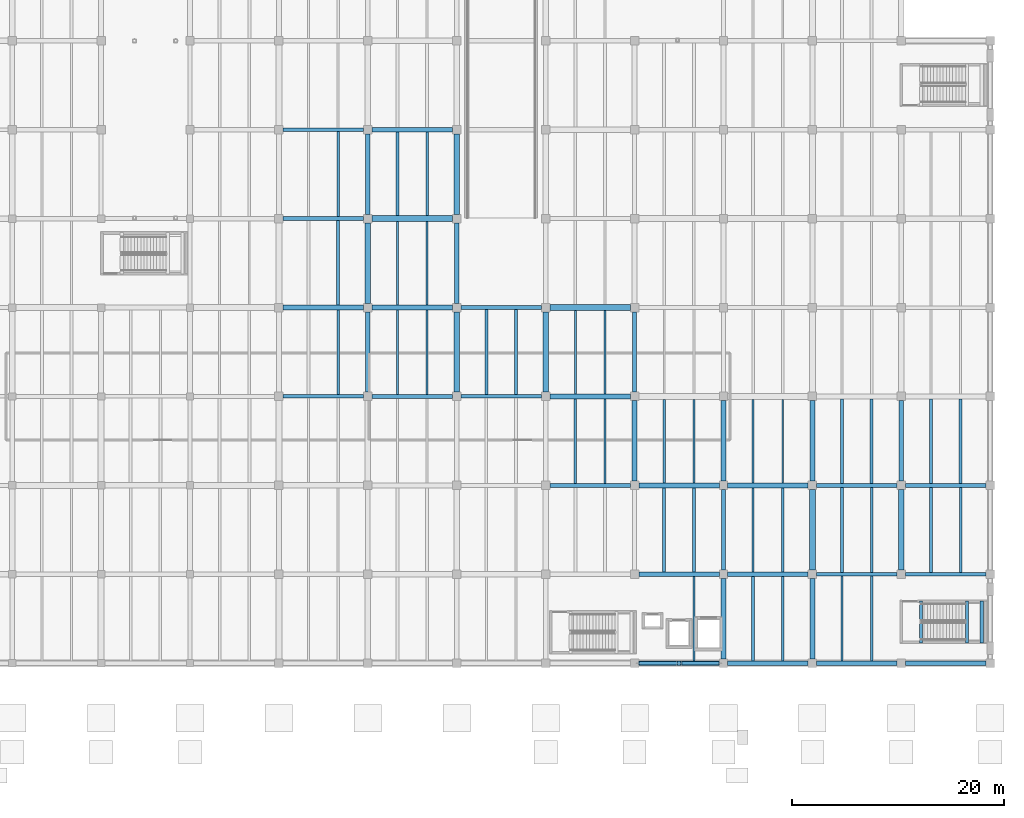
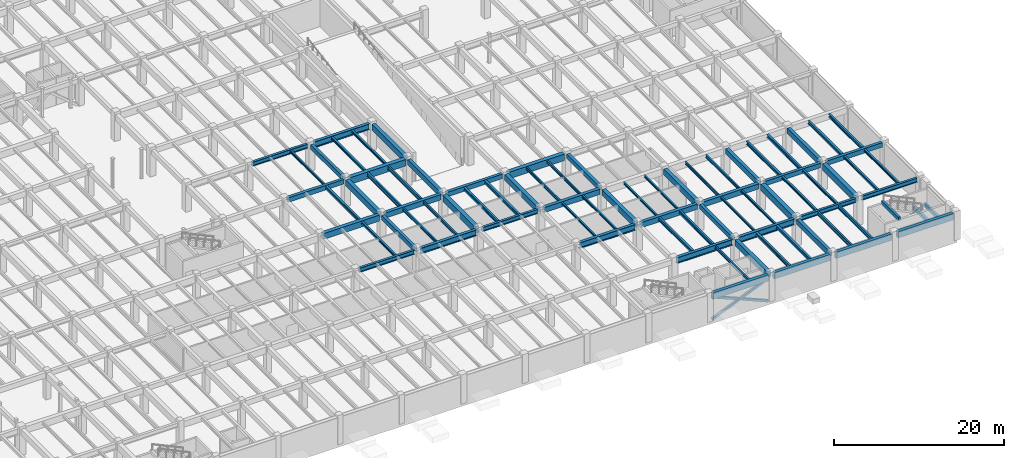
# One storey, part 23 of 63: 81 beams, 3 members.
"""IFC4 building model written with IfcOpenShell, lengths in metres."""

from ifc_helpers import new_model, si_unit, direction, frame, origin, origin_2d, place, context, subcontext, project, spatial, rectangle, hollow_rectangle, i_section, extrude, material, material_profile, profile_set, type_object, element, save


model = new_model("IFC4")

# Units and contexts
model_context = context("Model", 3, precision=1e-05, world=origin(), true_north=direction((0.0, 1.0)))
body_context = subcontext(model_context, "Body", "Model", "MODEL_VIEW")
ifc_project = project(units=[si_unit("LENGTHUNIT", "METRE"), si_unit("AREAUNIT", "SQUARE_METRE"), si_unit("VOLUMEUNIT", "CUBIC_METRE"), si_unit("PLANEANGLEUNIT", "RADIAN"), si_unit("MASSUNIT", "GRAM", prefix="KILO")], contexts=[model_context])

# Site, building, storey
site_placement = place(None, origin())
site = spatial("IfcSite", under=ifc_project, at=site_placement, CompositionType="ELEMENT")
building_placement = place(site_placement, origin())
building = spatial("IfcBuilding", under=site, at=building_placement, Name="Cumbredor Promenade Congress Hotel", CompositionType="ELEMENT")
storey_placement = place(building_placement, frame((0.0, 0.0, -4.199951171875)))
storey = spatial("IfcBuildingStorey", under=building, at=storey_placement, Name="B01", CompositionType="ELEMENT", Elevation=-4.199951171875)

# Beams
ifc_material_1 = material(Name="Concrete C40/50", Category="concrete")
ifc_material_profile_1 = material_profile(ifc_material_1, rectangle(XDim=0.39990234375, YDim=0.64990234375, at=origin_2d()), Name="RC BEAM 400x650")
ifc_profile_set_1 = profile_set([ifc_material_profile_1], Name="Concrete C40/50")
beam_type_1 = type_object("IfcBeamType", Name="BM-RC-400x650", PredefinedType="BEAM", material=ifc_profile_set_1)
for number, where, z_axis, x_axis, name in (
    (1, (118.0, 50.39990234375, 3.52490234375), (1.0, 0.0, 0.0), (0.0, 1.0, 0.0), "L00 X-Grid Beam 339"),
    (2, (126.0, 34.0, 3.52490234375), (0.0, 1.0, 0.0), (-1.0, 0.0, 0.0), "L00 Y-Grid Beam 363"),
):
    element("IfcBeam", number, at=place(storey_placement, frame(where, z_axis=z_axis, x_axis=x_axis)), inside=storey, type_object=beam_type_1, Name=name, PredefinedType="BEAM", context=body_context, shape_type="SweptSolid", body=[
        extrude(rectangle(XDim=0.39990234375, YDim=0.64990234375, at=origin_2d()), origin(), (0.0, 0.0, 1.0), 7.60009765625),
    ])
for number, where, z_axis, x_axis, name in (
    (3, (126.0, 50.800048828125, 3.52490234375), (0.0, 1.0, 0.0), (-1.0, 0.0, 0.0), "L00 Y-Grid Beam 367"),
    (4, (134.800048828125, 42.0, 3.52490234375), (1.0, 0.0, 0.0), (0.0, 1.0, 0.0), "L00 X-Grid Beam 391"),
):
    element("IfcBeam", number, at=place(storey_placement, frame(where, z_axis=z_axis, x_axis=x_axis)), inside=storey, type_object=beam_type_1, Name=name, PredefinedType="BEAM", context=body_context, shape_type="SweptSolid", body=[
        extrude(rectangle(XDim=0.39990234375, YDim=0.64990234375, at=origin_2d()), origin(), (0.0, 0.0, 1.0), 7.599853515625),
    ])
for number, where, z_axis, x_axis, name in (
    (5, (151.199951171875, 34.0, 3.52490234375), (0.0, 1.0, 0.0), (-1.0, 0.0, 0.0), "L00 Y-Grid Beam 439"),
    (6, (159.60009765625, 17.199951171875, 3.52490234375), (0.0, 1.0, 0.0), (-1.0, 0.0, 0.0), "L00 Y-Grid Beam 459"),
    (7, (168.39990234375, 25.199951171875, 3.52490234375), (1.0, 0.0, 0.0), (0.0, 1.0, 0.0), "L00 X-Grid Beam 487"),
):
    element("IfcBeam", number, at=place(storey_placement, frame(where, z_axis=z_axis, x_axis=x_axis)), inside=storey, type_object=beam_type_1, Name=name, PredefinedType="BEAM", context=body_context, shape_type="SweptSolid", body=[
        extrude(rectangle(XDim=0.39990234375, YDim=0.64990234375, at=origin_2d()), origin(), (0.0, 0.0, 1.0), 7.60009765625),
    ])
beam_1_placement = place(storey_placement, frame((176.800048828125, 25.199951171875, 3.52490234375), z_axis=(1.0, 0.0, 0.0), x_axis=(0.0, 1.0, 0.0)))
element("IfcBeam", 8, at=beam_1_placement, inside=storey, type_object=beam_type_1, Name="L00 X-Grid Beam 511", PredefinedType="BEAM", context=body_context, shape_type="SweptSolid", body=[
    extrude(rectangle(XDim=0.39990234375, YDim=0.64990234375, at=origin_2d()), origin(), (0.0, 0.0, 1.0), 7.599853515625),
])
ifc_material_profile_2 = material_profile(ifc_material_1, rectangle(XDim=0.449951171875, YDim=0.75, at=origin_2d()), Name="RC BEAM 450x750")
ifc_profile_set_2 = profile_set([ifc_material_profile_2], Name="Concrete C40/50")
beam_type_2 = type_object("IfcBeamType", Name="BM-RC-450x750", PredefinedType="BEAM", material=ifc_profile_set_2)
for number, where, z_axis, x_axis, name in (
    (9, (126.39990234375, 42.0, 3.474853515625), (1.0, 0.0, 0.0), (0.0, 1.0, 0.0), "L00 X-Grid Beam 364"),
    (10, (134.39990234375, 42.39990234375, 3.474853515625), (0.0, 1.0, 0.0), (-1.0, 0.0, 0.0), "L00 Y-Grid Beam 392"),
    (11, (143.199951171875, 33.60009765625, 3.474853515625), (1.0, 0.0, 0.0), (0.0, 1.0, 0.0), "L00 X-Grid Beam 412"),
):
    element("IfcBeam", number, at=place(storey_placement, frame(where, z_axis=z_axis, x_axis=x_axis)), inside=storey, type_object=beam_type_2, Name=name, PredefinedType="BEAM", context=body_context, shape_type="SweptSolid", body=[
        extrude(rectangle(XDim=0.449951171875, YDim=0.75, at=origin_2d()), origin(), (0.0, 0.0, 1.0), 7.60009765625),
    ])
beam_2_placement = place(storey_placement, frame((151.60009765625, 25.199951171875, 3.474853515625), z_axis=(1.0, 0.0, 0.0), x_axis=(0.0, 1.0, 0.0)))
element("IfcBeam", 12, at=beam_2_placement, inside=storey, type_object=beam_type_2, Name="L00 X-Grid Beam 436", PredefinedType="BEAM", context=body_context, shape_type="SweptSolid", body=[
    extrude(rectangle(XDim=0.449951171875, YDim=0.75, at=origin_2d()), origin(), (0.0, 0.0, 1.0), 7.599853515625),
])
beam_3_placement = place(storey_placement, frame((160.0, 25.199951171875, 3.474853515625), z_axis=(1.0, 0.0, 0.0), x_axis=(0.0, 1.0, 0.0)))
element("IfcBeam", 13, at=beam_3_placement, inside=storey, type_object=beam_type_2, Name="L00 X-Grid Beam 460", PredefinedType="BEAM", context=body_context, shape_type="SweptSolid", body=[
    extrude(rectangle(XDim=0.449951171875, YDim=0.75, at=origin_2d()), origin(), (0.0, 0.0, 1.0), 7.60009765625),
])
for number, where, z_axis, x_axis, name in (
    (14, (168.0, 8.800048828125, 3.474853515625), (0.0, 1.0, 0.0), (-1.0, 0.0, 0.0), "L00 Y-Grid Beam 484"),
    (15, (168.0, 25.60009765625, 3.474853515625), (0.0, 1.0, 0.0), (-1.0, 0.0, 0.0), "L00 Y-Grid Beam 488"),
    (16, (176.39990234375, 25.60009765625, 3.474853515625), (0.0, 1.0, 0.0), (-1.0, 0.0, 0.0), "L00 Y-Grid Beam 512"),
):
    element("IfcBeam", number, at=place(storey_placement, frame(where, z_axis=z_axis, x_axis=x_axis)), inside=storey, type_object=beam_type_2, Name=name, PredefinedType="BEAM", context=body_context, shape_type="SweptSolid", body=[
        extrude(rectangle(XDim=0.449951171875, YDim=0.75, at=origin_2d()), origin(), (0.0, 0.0, 1.0), 7.599853515625),
    ])
ifc_material_profile_3 = material_profile(ifc_material_1, rectangle(XDim=0.5, YDim=0.85009765625, at=origin_2d()), Name="RC BEAM 500x850")
ifc_profile_set_3 = profile_set([ifc_material_profile_3], Name="Concrete C40/50")
beam_type_3 = type_object("IfcBeamType", Name="BM-RC-500x850", PredefinedType="BEAM", material=ifc_profile_set_3)
for number, where, z_axis, x_axis, name in (
    (17, (118.0, 42.0, 3.425048828125), (1.0, 0.0, 0.0), (0.0, 1.0, 0.0), "L00 X-Grid Beam 337"),
    (18, (126.0, 42.39990234375, 3.425048828125), (0.0, 1.0, 0.0), (-1.0, 0.0, 0.0), "L00 Y-Grid Beam 365"),
):
    element("IfcBeam", number, at=place(storey_placement, frame(where, z_axis=z_axis, x_axis=x_axis)), inside=storey, type_object=beam_type_3, Name=name, PredefinedType="BEAM", context=body_context, shape_type="SweptSolid", body=[
        extrude(rectangle(XDim=0.5, YDim=0.85009765625, at=origin_2d()), origin(), (0.0, 0.0, 1.0), 7.60009765625),
    ])
beam_4_placement = place(storey_placement, frame((134.39990234375, 50.800048828125, 3.425048828125), z_axis=(0.0, 1.0, 0.0), x_axis=(-1.0, 0.0, 0.0)))
element("IfcBeam", 19, at=beam_4_placement, inside=storey, type_object=beam_type_3, Name="L00 Y-Grid Beam 393", PredefinedType="BEAM", context=body_context, shape_type="SweptSolid", body=[
    extrude(rectangle(XDim=0.5, YDim=0.85009765625, at=origin_2d()), origin(), (0.0, 0.0, 1.0), 7.599853515625),
])
beam_5_placement = place(storey_placement, frame((142.800048828125, 34.0, 3.425048828125), z_axis=(0.0, 1.0, 0.0), x_axis=(-1.0, 0.0, 0.0)))
element("IfcBeam", 20, at=beam_5_placement, inside=storey, type_object=beam_type_3, Name="L00 Y-Grid Beam 413", PredefinedType="BEAM", context=body_context, shape_type="SweptSolid", body=[
    extrude(rectangle(XDim=0.5, YDim=0.85009765625, at=origin_2d()), origin(), (0.0, 0.0, 1.0), 7.60009765625),
])
for number, where, z_axis, x_axis, name in (
    (21, (151.199951171875, 25.60009765625, 3.425048828125), (0.0, 1.0, 0.0), (-1.0, 0.0, 0.0), "L00 Y-Grid Beam 437"),
    (22, (159.60009765625, 8.800048828125, 3.425048828125), (0.0, 1.0, 0.0), (-1.0, 0.0, 0.0), "L00 Y-Grid Beam 457"),
    (23, (159.60009765625, 25.60009765625, 3.425048828125), (0.0, 1.0, 0.0), (-1.0, 0.0, 0.0), "L00 Y-Grid Beam 461"),
):
    element("IfcBeam", number, at=place(storey_placement, frame(where, z_axis=z_axis, x_axis=x_axis)), inside=storey, type_object=beam_type_3, Name=name, PredefinedType="BEAM", context=body_context, shape_type="SweptSolid", body=[
        extrude(rectangle(XDim=0.5, YDim=0.85009765625, at=origin_2d()), origin(), (0.0, 0.0, 1.0), 7.599853515625),
    ])
ifc_material_profile_4 = material_profile(ifc_material_1, rectangle(XDim=0.550048828125, YDim=0.949951171875, at=origin_2d()), Name="RC BEAM 550x950")
ifc_profile_set_4 = profile_set([ifc_material_profile_4], Name="Concrete C40/50")
beam_type_4 = type_object("IfcBeamType", Name="BM-RC-550x950", PredefinedType="BEAM", material=ifc_profile_set_4)
for number, where, z_axis, x_axis, name in (
    (24, (126.39990234375, 50.39990234375, 3.375), (1.0, 0.0, 0.0), (0.0, 1.0, 0.0), "L00 X-Grid Beam 366"),
    (25, (134.39990234375, 34.0, 3.375), (0.0, 1.0, 0.0), (-1.0, 0.0, 0.0), "L00 Y-Grid Beam 390"),
    (26, (143.199951171875, 42.0, 3.375), (1.0, 0.0, 0.0), (0.0, 1.0, 0.0), "L00 X-Grid Beam 414"),
    (27, (168.0, 17.199951171875, 3.375), (0.0, 1.0, 0.0), (-1.0, 0.0, 0.0), "L00 Y-Grid Beam 486"),
    (28, (176.39990234375, 17.199951171875, 3.375), (0.0, 1.0, 0.0), (-1.0, 0.0, 0.0), "L00 Y-Grid Beam 510"),
):
    element("IfcBeam", number, at=place(storey_placement, frame(where, z_axis=z_axis, x_axis=x_axis)), inside=storey, type_object=beam_type_4, Name=name, PredefinedType="BEAM", context=body_context, shape_type="SweptSolid", body=[
        extrude(rectangle(XDim=0.550048828125, YDim=0.949951171875, at=origin_2d()), origin(), (0.0, 0.0, 1.0), 7.60009765625),
    ])
ifc_material_2 = material(Name="Steel ASTM A992 Grade 50", Category="steel")
ifc_material_profile_5 = material_profile(ifc_material_2, i_section(OverallWidth=0.323974609375, OverallDepth=0.611083984375, WebThickness=0.0126953125, FlangeThickness=0.01904296875, at=origin_2d()), Name="W24X104")
ifc_profile_set_5 = profile_set([ifc_material_profile_5], Name="Steel ASTM A992 Grade 50")
beam_type_5 = type_object("IfcBeamType", Name="BM-W24X104", PredefinedType="BEAM", material=ifc_profile_set_5)
for number, where, z_axis, x_axis, name in (
    (29, (118.0, 33.60009765625, 3.54443359375), (1.0, 0.0, 0.0), (0.0, 1.0, 0.0), "L00 X-Grid Beam 335"),
    (30, (118.0, 58.800048828125, 3.54443359375), (1.0, 0.0, 0.0), (0.0, 1.0, 0.0), "L00 X-Grid Beam 341"),
):
    element("IfcBeam", number, at=place(storey_placement, frame(where, z_axis=z_axis, x_axis=x_axis)), inside=storey, type_object=beam_type_5, Name=name, PredefinedType="BEAM", context=body_context, shape_type="SweptSolid", body=[
        extrude(i_section(OverallWidth=0.323974609375, OverallDepth=0.611083984375, WebThickness=0.0126953125, FlangeThickness=0.01904296875, at=origin_2d()), origin(), (0.0, 0.0, 1.0), 7.60009765625),
    ])
beam_6_placement = place(storey_placement, frame((134.800048828125, 33.60009765625, 3.54443359375), z_axis=(1.0, 0.0, 0.0), x_axis=(0.0, 1.0, 0.0)))
element("IfcBeam", 31, at=beam_6_placement, inside=storey, type_object=beam_type_5, Name="L00 X-Grid Beam 389", PredefinedType="BEAM", context=body_context, shape_type="SweptSolid", body=[
    extrude(i_section(OverallWidth=0.323974609375, OverallDepth=0.611083984375, WebThickness=0.0126953125, FlangeThickness=0.01904296875, at=origin_2d()), origin(), (0.0, 0.0, 1.0), 7.599853515625),
])
beam_7_placement = place(storey_placement, frame((168.39990234375, 16.800048828125, 3.54443359375), z_axis=(1.0, 0.0, 0.0), x_axis=(0.0, 1.0, 0.0)))
element("IfcBeam", 32, at=beam_7_placement, inside=storey, type_object=beam_type_5, Name="L00 X-Grid Beam 485", PredefinedType="BEAM", context=body_context, shape_type="SweptSolid", body=[
    extrude(i_section(OverallWidth=0.323974609375, OverallDepth=0.611083984375, WebThickness=0.0126953125, FlangeThickness=0.01904296875, at=origin_2d()), origin(), (0.0, 0.0, 1.0), 7.60009765625),
])
beam_8_placement = place(storey_placement, frame((176.800048828125, 16.800048828125, 3.54443359375), z_axis=(1.0, 0.0, 0.0), x_axis=(0.0, 1.0, 0.0)))
element("IfcBeam", 33, at=beam_8_placement, inside=storey, type_object=beam_type_5, Name="L00 X-Grid Beam 509", PredefinedType="BEAM", context=body_context, shape_type="SweptSolid", body=[
    extrude(i_section(OverallWidth=0.323974609375, OverallDepth=0.611083984375, WebThickness=0.0126953125, FlangeThickness=0.01904296875, at=origin_2d()), origin(), (0.0, 0.0, 1.0), 7.599853515625),
])
ifc_material_profile_6 = material_profile(ifc_material_2, i_section(OverallWidth=0.39990234375, OverallDepth=0.85498046875, WebThickness=0.018310546875, FlangeThickness=0.029296875, at=origin_2d()), Name="W33X201")
ifc_profile_set_6 = profile_set([ifc_material_profile_6], Name="Steel ASTM A992 Grade 50")
beam_type_6 = type_object("IfcBeamType", Name="BM-W33X201", PredefinedType="BEAM", material=ifc_profile_set_6)
for number, where, z_axis, x_axis, name in (
    (34, (126.39990234375, 33.60009765625, 3.42236328125), (1.0, 0.0, 0.0), (0.0, 1.0, 0.0), "L00 X-Grid Beam 362"),
    (35, (126.39990234375, 58.800048828125, 3.42236328125), (1.0, 0.0, 0.0), (0.0, 1.0, 0.0), "L00 X-Grid Beam 368"),
    (36, (143.199951171875, 25.199951171875, 3.42236328125), (1.0, 0.0, 0.0), (0.0, 1.0, 0.0), "L00 X-Grid Beam 410"),
):
    element("IfcBeam", number, at=place(storey_placement, frame(where, z_axis=z_axis, x_axis=x_axis)), inside=storey, type_object=beam_type_6, Name=name, PredefinedType="BEAM", context=body_context, shape_type="SweptSolid", body=[
        extrude(i_section(OverallWidth=0.39990234375, OverallDepth=0.85498046875, WebThickness=0.018310546875, FlangeThickness=0.029296875, at=origin_2d()), origin(), (0.0, 0.0, 1.0), 7.60009765625),
    ])
beam_9_placement = place(storey_placement, frame((151.60009765625, 16.800048828125, 3.42236328125), z_axis=(1.0, 0.0, 0.0), x_axis=(0.0, 1.0, 0.0)))
element("IfcBeam", 37, at=beam_9_placement, inside=storey, type_object=beam_type_6, Name="L00 X-Grid Beam 434", PredefinedType="BEAM", context=body_context, shape_type="SweptSolid", body=[
    extrude(i_section(OverallWidth=0.39990234375, OverallDepth=0.85498046875, WebThickness=0.018310546875, FlangeThickness=0.029296875, at=origin_2d()), origin(), (0.0, 0.0, 1.0), 7.599853515625),
])
beam_10_placement = place(storey_placement, frame((160.0, 16.800048828125, 3.42236328125), z_axis=(1.0, 0.0, 0.0), x_axis=(0.0, 1.0, 0.0)))
element("IfcBeam", 38, at=beam_10_placement, inside=storey, type_object=beam_type_6, Name="L00 X-Grid Beam 458", PredefinedType="BEAM", context=body_context, shape_type="SweptSolid", body=[
    extrude(i_section(OverallWidth=0.39990234375, OverallDepth=0.85498046875, WebThickness=0.018310546875, FlangeThickness=0.029296875, at=origin_2d()), origin(), (0.0, 0.0, 1.0), 7.60009765625),
])
ifc_material_profile_7 = material_profile(ifc_material_2, i_section(OverallWidth=0.202880859375, OverallDepth=0.302978515625, WebThickness=0.007568359375, FlangeThickness=0.01318359375, at=origin_2d()), Name="W12X40")
ifc_profile_set_7 = profile_set([ifc_material_profile_7], Name="Steel ASTM A992 Grade 50")
beam_type_7 = type_object("IfcBeamType", Name="JST-W12X40", PredefinedType="JOIST", material=ifc_profile_set_7)
beam_11_placement = place(storey_placement, frame((123.199951171875, 50.60009765625, 3.698486328125), z_axis=(0.0, 1.0, 0.0), x_axis=(-1.0, 0.0, 0.0)))
element("IfcBeam", 39, at=beam_11_placement, inside=storey, type_object=beam_type_7, Name="L00 Secondary Floor Joist 0290", PredefinedType="JOIST", context=body_context, shape_type="SweptSolid", body=[
    extrude(i_section(OverallWidth=0.202880859375, OverallDepth=0.302978515625, WebThickness=0.007568359375, FlangeThickness=0.01318359375, at=origin_2d()), origin(), (0.0, 0.0, 1.0), 8.037841796875),
])
for number, where, z_axis, x_axis, name in (
    (40, (145.60009765625, 25.39990234375, 3.698486328125), (0.0, 1.0, 0.0), (-1.0, 0.0, 0.0), "L00 Secondary Floor Joist 0349"),
    (41, (148.39990234375, 25.39990234375, 3.698486328125), (0.0, 1.0, 0.0), (-1.0, 0.0, 0.0), "L00 Secondary Floor Joist 0350"),
):
    element("IfcBeam", number, at=place(storey_placement, frame(where, z_axis=z_axis, x_axis=x_axis)), inside=storey, type_object=beam_type_7, Name=name, PredefinedType="JOIST", context=body_context, shape_type="SweptSolid", body=[
        extrude(i_section(OverallWidth=0.202880859375, OverallDepth=0.302978515625, WebThickness=0.007568359375, FlangeThickness=0.01318359375, at=origin_2d()), origin(), (0.0, 0.0, 1.0), 7.97509765625),
    ])
for number, where, z_axis, x_axis, name in (
    (42, (154.0, 25.425048828125, 3.698486328125), (0.0, 1.0, 0.0), (-1.0, 0.0, 0.0), "L00 Secondary Floor Joist 0374"),
    (43, (156.800048828125, 25.425048828125, 3.698486328125), (0.0, 1.0, 0.0), (-1.0, 0.0, 0.0), "L00 Secondary Floor Joist 0375"),
):
    element("IfcBeam", number, at=place(storey_placement, frame(where, z_axis=z_axis, x_axis=x_axis)), inside=storey, type_object=beam_type_7, Name=name, PredefinedType="JOIST", context=body_context, shape_type="SweptSolid", body=[
        extrude(i_section(OverallWidth=0.202880859375, OverallDepth=0.302978515625, WebThickness=0.007568359375, FlangeThickness=0.01318359375, at=origin_2d()), origin(), (0.0, 0.0, 1.0), 7.89990234375),
    ])
for number, where, z_axis, x_axis, name in (
    (44, (162.39990234375, 17.0, 3.698486328125), (0.0, 1.0, 0.0), (-1.0, 0.0, 0.0), "L00 Secondary Floor Joist 0394"),
    (45, (165.199951171875, 17.0, 3.698486328125), (0.0, 1.0, 0.0), (-1.0, 0.0, 0.0), "L00 Secondary Floor Joist 0395"),
):
    element("IfcBeam", number, at=place(storey_placement, frame(where, z_axis=z_axis, x_axis=x_axis)), inside=storey, type_object=beam_type_7, Name=name, PredefinedType="JOIST", context=body_context, shape_type="SweptSolid", body=[
        extrude(i_section(OverallWidth=0.202880859375, OverallDepth=0.302978515625, WebThickness=0.007568359375, FlangeThickness=0.01318359375, at=origin_2d()), origin(), (0.0, 0.0, 1.0), 7.97509765625),
    ])
ifc_material_profile_8 = material_profile(ifc_material_2, i_section(OverallWidth=0.2548828125, OverallDepth=0.35693359375, WebThickness=0.010498046875, FlangeThickness=0.018310546875, at=origin_2d()), Name="W14X68")
ifc_profile_set_8 = profile_set([ifc_material_profile_8], Name="Steel ASTM A992 Grade 50")
beam_type_8 = type_object("IfcBeamType", Name="JST-W14X68", PredefinedType="JOIST", material=ifc_profile_set_8)
beam_12_placement = place(storey_placement, frame((123.199951171875, 33.761962890625, 3.67138671875), z_axis=(0.0, 1.0, 0.0), x_axis=(-1.0, 0.0, 0.0)))
element("IfcBeam", 46, at=beam_12_placement, inside=storey, type_object=beam_type_8, Name="L00 Secondary Floor Joist 0286", PredefinedType="JOIST", context=body_context, shape_type="SweptSolid", body=[
    extrude(i_section(OverallWidth=0.2548828125, OverallDepth=0.35693359375, WebThickness=0.010498046875, FlangeThickness=0.018310546875, at=origin_2d()), origin(), (0.0, 0.0, 1.0), 7.988037109375),
])
for number, where, z_axis, x_axis, name in (
    (47, (128.800048828125, 50.675048828125, 3.67138671875), (0.0, 1.0, 0.0), (-1.0, 0.0, 0.0), "L00 Secondary Floor Joist 0315"),
    (48, (131.60009765625, 50.675048828125, 3.67138671875), (0.0, 1.0, 0.0), (-1.0, 0.0, 0.0), "L00 Secondary Floor Joist 0316"),
):
    element("IfcBeam", number, at=place(storey_placement, frame(where, z_axis=z_axis, x_axis=x_axis)), inside=storey, type_object=beam_type_8, Name=name, PredefinedType="JOIST", context=body_context, shape_type="SweptSolid", body=[
        extrude(i_section(OverallWidth=0.2548828125, OverallDepth=0.35693359375, WebThickness=0.010498046875, FlangeThickness=0.018310546875, at=origin_2d()), origin(), (0.0, 0.0, 1.0), 7.925048828125),
    ])
for number, where, z_axis, x_axis, name in (
    (49, (170.800048828125, 16.9619140625, 3.67138671875), (0.0, 1.0, 0.0), (-1.0, 0.0, 0.0), "L00 Secondary Floor Joist 0420"),
    (50, (173.60009765625, 16.9619140625, 3.67138671875), (0.0, 1.0, 0.0), (-1.0, 0.0, 0.0), "L00 Secondary Floor Joist 0421"),
    (51, (179.199951171875, 16.9619140625, 3.67138671875), (0.0, 1.0, 0.0), (-1.0, 0.0, 0.0), "L00 Secondary Floor Joist 0440"),
    (52, (182.0, 16.9619140625, 3.67138671875), (0.0, 1.0, 0.0), (-1.0, 0.0, 0.0), "L00 Secondary Floor Joist 0441"),
):
    element("IfcBeam", number, at=place(storey_placement, frame(where, z_axis=z_axis, x_axis=x_axis)), inside=storey, type_object=beam_type_8, Name=name, PredefinedType="JOIST", context=body_context, shape_type="SweptSolid", body=[
        extrude(i_section(OverallWidth=0.2548828125, OverallDepth=0.35693359375, WebThickness=0.010498046875, FlangeThickness=0.018310546875, at=origin_2d()), origin(), (0.0, 0.0, 1.0), 8.0380859375),
    ])
ifc_material_profile_9 = material_profile(ifc_material_2, i_section(OverallWidth=0.180908203125, OverallDepth=0.4169921875, WebThickness=0.010986328125, FlangeThickness=0.018310546875, at=origin_2d()), Name="W16X57")
ifc_profile_set_9 = profile_set([ifc_material_profile_9], Name="Steel ASTM A992 Grade 50")
beam_type_9 = type_object("IfcBeamType", Name="JST-W16X57", PredefinedType="JOIST", material=ifc_profile_set_9)
for number, where, z_axis, x_axis, name in (
    (53, (128.800048828125, 33.800048828125, 3.641357421875), (0.0, 1.0, 0.0), (-1.0, 0.0, 0.0), "L00 Secondary Floor Joist 0311"),
    (54, (131.60009765625, 33.800048828125, 3.641357421875), (0.0, 1.0, 0.0), (-1.0, 0.0, 0.0), "L00 Secondary Floor Joist 0312"),
):
    element("IfcBeam", number, at=place(storey_placement, frame(where, z_axis=z_axis, x_axis=x_axis)), inside=storey, type_object=beam_type_9, Name=name, PredefinedType="JOIST", context=body_context, shape_type="SweptSolid", body=[
        extrude(i_section(OverallWidth=0.180908203125, OverallDepth=0.4169921875, WebThickness=0.010986328125, FlangeThickness=0.018310546875, at=origin_2d()), origin(), (0.0, 0.0, 1.0), 7.974853515625),
    ])
for number, where, z_axis, x_axis, name in (
    (55, (145.60009765625, 33.824951171875, 3.641357421875), (0.0, 1.0, 0.0), (-1.0, 0.0, 0.0), "L00 Secondary Floor Joist 0351"),
    (56, (148.39990234375, 33.824951171875, 3.641357421875), (0.0, 1.0, 0.0), (-1.0, 0.0, 0.0), "L00 Secondary Floor Joist 0352"),
):
    element("IfcBeam", number, at=place(storey_placement, frame(where, z_axis=z_axis, x_axis=x_axis)), inside=storey, type_object=beam_type_9, Name=name, PredefinedType="JOIST", context=body_context, shape_type="SweptSolid", body=[
        extrude(i_section(OverallWidth=0.180908203125, OverallDepth=0.4169921875, WebThickness=0.010986328125, FlangeThickness=0.018310546875, at=origin_2d()), origin(), (0.0, 0.0, 1.0), 7.900146484375),
    ])
beam_13_placement = place(storey_placement, frame((156.800048828125, 8.625, 3.641357421875), z_axis=(0.0, 1.0, 0.0), x_axis=(-1.0, 0.0, 0.0)))
element("IfcBeam", 57, at=beam_13_placement, inside=storey, type_object=beam_type_9, Name="L00 Secondary Floor Joist 0371", PredefinedType="JOIST", context=body_context, shape_type="SweptSolid", body=[
    extrude(i_section(OverallWidth=0.180908203125, OverallDepth=0.4169921875, WebThickness=0.010986328125, FlangeThickness=0.018310546875, at=origin_2d()), origin(), (0.0, 0.0, 1.0), 7.97509765625),
])
for number, where, z_axis, x_axis, name in (
    (58, (162.39990234375, 25.425048828125, 3.641357421875), (0.0, 1.0, 0.0), (-1.0, 0.0, 0.0), "L00 Secondary Floor Joist 0396"),
    (59, (165.199951171875, 25.425048828125, 3.641357421875), (0.0, 1.0, 0.0), (-1.0, 0.0, 0.0), "L00 Secondary Floor Joist 0397"),
):
    element("IfcBeam", number, at=place(storey_placement, frame(where, z_axis=z_axis, x_axis=x_axis)), inside=storey, type_object=beam_type_9, Name=name, PredefinedType="JOIST", context=body_context, shape_type="SweptSolid", body=[
        extrude(i_section(OverallWidth=0.180908203125, OverallDepth=0.4169921875, WebThickness=0.010986328125, FlangeThickness=0.018310546875, at=origin_2d()), origin(), (0.0, 0.0, 1.0), 7.89990234375),
    ])
ifc_material_profile_10 = material_profile(ifc_material_2, i_section(OverallWidth=0.280029296875, OverallDepth=0.462890625, WebThickness=0.0107421875, FlangeThickness=0.017333984375, at=origin_2d()), Name="W18X76")
ifc_profile_set_10 = profile_set([ifc_material_profile_10], Name="Steel ASTM A992 Grade 50")
beam_type_10 = type_object("IfcBeamType", Name="JST-W18X76", PredefinedType="JOIST", material=ifc_profile_set_10)
beam_14_placement = place(storey_placement, frame((123.199951171875, 42.25, 3.618408203125), z_axis=(0.0, 1.0, 0.0), x_axis=(-1.0, 0.0, 0.0)))
element("IfcBeam", 60, at=beam_14_placement, inside=storey, type_object=beam_type_10, Name="L00 Secondary Floor Joist 0288", PredefinedType="JOIST", context=body_context, shape_type="SweptSolid", body=[
    extrude(i_section(OverallWidth=0.280029296875, OverallDepth=0.462890625, WebThickness=0.0107421875, FlangeThickness=0.017333984375, at=origin_2d()), origin(), (0.0, 0.0, 1.0), 7.949951171875),
])
for number, where, z_axis, x_axis, name in (
    (61, (137.199951171875, 33.761962890625, 3.618408203125), (0.0, 1.0, 0.0), (-1.0, 0.0, 0.0), "L00 Secondary Floor Joist 0337"),
    (62, (140.0, 33.761962890625, 3.618408203125), (0.0, 1.0, 0.0), (-1.0, 0.0, 0.0), "L00 Secondary Floor Joist 0338"),
):
    element("IfcBeam", number, at=place(storey_placement, frame(where, z_axis=z_axis, x_axis=x_axis)), inside=storey, type_object=beam_type_10, Name=name, PredefinedType="JOIST", context=body_context, shape_type="SweptSolid", body=[
        extrude(i_section(OverallWidth=0.280029296875, OverallDepth=0.462890625, WebThickness=0.0107421875, FlangeThickness=0.017333984375, at=origin_2d()), origin(), (0.0, 0.0, 1.0), 8.0380859375),
    ])
for number, where, z_axis, x_axis, name in (
    (63, (154.0, 17.0, 3.618408203125), (0.0, 1.0, 0.0), (-1.0, 0.0, 0.0), "L00 Secondary Floor Joist 0372"),
    (64, (156.800048828125, 17.0, 3.618408203125), (0.0, 1.0, 0.0), (-1.0, 0.0, 0.0), "L00 Secondary Floor Joist 0373"),
    (65, (162.39990234375, 8.625, 3.618408203125), (0.0, 1.0, 0.0), (-1.0, 0.0, 0.0), "L00 Secondary Floor Joist 0392"),
    (66, (165.199951171875, 8.625, 3.618408203125), (0.0, 1.0, 0.0), (-1.0, 0.0, 0.0), "L00 Secondary Floor Joist 0393"),
):
    element("IfcBeam", number, at=place(storey_placement, frame(where, z_axis=z_axis, x_axis=x_axis)), inside=storey, type_object=beam_type_10, Name=name, PredefinedType="JOIST", context=body_context, shape_type="SweptSolid", body=[
        extrude(i_section(OverallWidth=0.280029296875, OverallDepth=0.462890625, WebThickness=0.0107421875, FlangeThickness=0.017333984375, at=origin_2d()), origin(), (0.0, 0.0, 1.0), 7.97509765625),
    ])
for number, where, z_axis, x_axis, name in (
    (67, (170.800048828125, 25.39990234375, 3.618408203125), (0.0, 1.0, 0.0), (-1.0, 0.0, 0.0), "L00 Secondary Floor Joist 0422"),
    (68, (173.60009765625, 25.39990234375, 3.618408203125), (0.0, 1.0, 0.0), (-1.0, 0.0, 0.0), "L00 Secondary Floor Joist 0423"),
    (69, (179.199951171875, 25.39990234375, 3.618408203125), (0.0, 1.0, 0.0), (-1.0, 0.0, 0.0), "L00 Secondary Floor Joist 0442"),
    (70, (182.0, 25.39990234375, 3.618408203125), (0.0, 1.0, 0.0), (-1.0, 0.0, 0.0), "L00 Secondary Floor Joist 0443"),
):
    element("IfcBeam", number, at=place(storey_placement, frame(where, z_axis=z_axis, x_axis=x_axis)), inside=storey, type_object=beam_type_10, Name=name, PredefinedType="JOIST", context=body_context, shape_type="SweptSolid", body=[
        extrude(i_section(OverallWidth=0.280029296875, OverallDepth=0.462890625, WebThickness=0.0107421875, FlangeThickness=0.017333984375, at=origin_2d()), origin(), (0.0, 0.0, 1.0), 7.9501953125),
    ])
ifc_material_profile_11 = material_profile(ifc_material_2, i_section(OverallWidth=0.214111328125, OverallDepth=0.549072265625, WebThickness=0.0146484375, FlangeThickness=0.023681640625, at=origin_2d()), Name="W21X93")
ifc_profile_set_11 = profile_set([ifc_material_profile_11], Name="Steel ASTM A992 Grade 50")
beam_type_11 = type_object("IfcBeamType", Name="JST-W21X93", PredefinedType="JOIST", material=ifc_profile_set_11)
for number, where, z_axis, x_axis, name in (
    (71, (128.800048828125, 42.22509765625, 3.575439453125), (0.0, 1.0, 0.0), (-1.0, 0.0, 0.0), "L00 Secondary Floor Joist 0313"),
    (72, (131.60009765625, 42.22509765625, 3.575439453125), (0.0, 1.0, 0.0), (-1.0, 0.0, 0.0), "L00 Secondary Floor Joist 0314"),
):
    element("IfcBeam", number, at=place(storey_placement, frame(where, z_axis=z_axis, x_axis=x_axis)), inside=storey, type_object=beam_type_11, Name=name, PredefinedType="JOIST", context=body_context, shape_type="SweptSolid", body=[
        extrude(i_section(OverallWidth=0.214111328125, OverallDepth=0.549072265625, WebThickness=0.0146484375, FlangeThickness=0.023681640625, at=origin_2d()), origin(), (0.0, 0.0, 1.0), 7.89990234375),
    ])
for number, where, z_axis, x_axis, name in (
    (73, (170.800048828125, 8.625, 3.575439453125), (0.0, 1.0, 0.0), (-1.0, 0.0, 0.0), "L00 Secondary Floor Joist 0418"),
    (74, (173.60009765625, 8.625, 3.575439453125), (0.0, 1.0, 0.0), (-1.0, 0.0, 0.0), "L00 Secondary Floor Joist 0419"),
):
    element("IfcBeam", number, at=place(storey_placement, frame(where, z_axis=z_axis, x_axis=x_axis)), inside=storey, type_object=beam_type_11, Name=name, PredefinedType="JOIST", context=body_context, shape_type="SweptSolid", body=[
        extrude(i_section(OverallWidth=0.214111328125, OverallDepth=0.549072265625, WebThickness=0.0146484375, FlangeThickness=0.023681640625, at=origin_2d()), origin(), (0.0, 0.0, 1.0), 8.012939453125),
    ])
ifc_material_profile_12 = material_profile(ifc_material_1, rectangle(XDim=0.300048828125, YDim=0.5, at=origin_2d()), Name="RC LINTEL 300x500")
ifc_profile_set_12 = profile_set([ifc_material_profile_12], Name="Concrete C40/50")
beam_type_12 = type_object("IfcBeamType", Name="LN-RC-300x500", PredefinedType="LINTEL", material=ifc_profile_set_12)
for number, where, z_axis, x_axis, name in (
    (75, (184.0, 10.330078125, 1.64990234375), (0.0, 1.0, 0.0), (-1.0, 0.0, 0.0), "B01 Stair ST-09 Landing Ledger Beam E"),
    (76, (182.60009765625, 10.330078125, 1.64990234375), (0.0, 1.0, 0.0), (-1.0, 0.0, 0.0), "B01 Stair ST-09 Landing Ledger Beam W"),
    (77, (178.25, 10.330078125, 3.949951171875), (0.0, 1.0, 0.0), (-1.0, 0.0, 0.0), "L00 Stair ST-09 Well Header Trimmer Beam"),
):
    element("IfcBeam", number, at=place(storey_placement, frame(where, z_axis=z_axis, x_axis=x_axis)), inside=storey, type_object=beam_type_12, Name=name, PredefinedType="LINTEL", context=body_context, shape_type="SweptSolid", body=[
        extrude(rectangle(XDim=0.300048828125, YDim=0.5, at=origin_2d()), origin(), (0.0, 0.0, 1.0), 3.969970703125),
    ])
ifc_material_profile_13 = material_profile(ifc_material_1, rectangle(XDim=0.449951171875, YDim=0.89990234375, at=origin_2d()), Name="RC SPANDREL 450x900")
ifc_profile_set_13 = profile_set([ifc_material_profile_13], Name="Concrete C40/50")
beam_type_13 = type_object("IfcBeamType", Name="SP-RC-450x900", PredefinedType="SPANDREL", material=ifc_profile_set_13)
beam_15_placement = place(storey_placement, frame((151.60009765625, 8.39990234375, 3.39990234375), z_axis=(1.0, 0.0, 0.0), x_axis=(0.0, 1.0, 0.0)))
element("IfcBeam", 78, at=beam_15_placement, inside=storey, type_object=beam_type_13, Name="L00 X-Grid Beam 433", PredefinedType="SPANDREL", context=body_context, shape_type="SweptSolid", body=[
    extrude(rectangle(XDim=0.449951171875, YDim=0.89990234375, at=origin_2d()), origin(), (0.0, 0.0, 1.0), 7.599853515625),
])
for number, where, z_axis, x_axis, name in (
    (79, (160.0, 8.39990234375, 3.39990234375), (1.0, 0.0, 0.0), (0.0, 1.0, 0.0), "L00 X-Grid Beam 456"),
    (80, (168.39990234375, 8.39990234375, 3.39990234375), (1.0, 0.0, 0.0), (0.0, 1.0, 0.0), "L00 X-Grid Beam 483"),
):
    element("IfcBeam", number, at=place(storey_placement, frame(where, z_axis=z_axis, x_axis=x_axis)), inside=storey, type_object=beam_type_13, Name=name, PredefinedType="SPANDREL", context=body_context, shape_type="SweptSolid", body=[
        extrude(rectangle(XDim=0.449951171875, YDim=0.89990234375, at=origin_2d()), origin(), (0.0, 0.0, 1.0), 7.60009765625),
    ])
beam_16_placement = place(storey_placement, frame((176.800048828125, 8.39990234375, 3.39990234375), z_axis=(1.0, 0.0, 0.0), x_axis=(0.0, 1.0, 0.0)))
element("IfcBeam", 81, at=beam_16_placement, inside=storey, type_object=beam_type_13, Name="L00 X-Grid Beam 508", PredefinedType="SPANDREL", context=body_context, shape_type="SweptSolid", body=[
    extrude(rectangle(XDim=0.449951171875, YDim=0.89990234375, at=origin_2d()), origin(), (0.0, 0.0, 1.0), 7.599853515625),
])

# Members
ifc_material_3 = material(Name="Steel ASTM A500 Grade C", Category="steel")
ifc_material_profile_14 = material_profile(ifc_material_3, hollow_rectangle(XDim=0.300048828125, YDim=0.300048828125, WallThickness=0.01611328125, at=origin_2d()), Name="HSS 300x300x16")
ifc_profile_set_14 = profile_set([ifc_material_profile_14], Name="Steel ASTM A500 Grade C")
member_type = type_object("IfcMemberType", Name="Seismic Frame Brace CBF-1", PredefinedType="BRACE", material=ifc_profile_set_14)
member_placement = place(storey_placement, frame((151.60009765625, 8.39990234375, 0.0), z_axis=(0.919892333056, 0.0, 0.392171002987), x_axis=(0.0, 1.0, 0.0)))
element("IfcMember", 82, at=member_placement, inside=storey, type_object=member_type, Name="B01 X-Brace Continuous Diagonal 7A", PredefinedType="BRACE", context=body_context, shape_type="SweptSolid", body=[
    extrude(hollow_rectangle(XDim=0.300048828125, YDim=0.300048828125, WallThickness=0.01611328125, at=origin_2d()), origin(), (0.0, 0.0, 1.0), 8.26171875),
])
for number, where, z_axis, x_axis, name in (
    (83, (159.199951171875, 8.39990234375, 0.0), (-0.919889867857, 0.0, 0.39217678541), (0.0, -1.0, 0.0), "B01 X-Brace Lower Split Diagonal 7B1"),
    (84, (155.17919921875, 8.39990234375, 1.714111328125), (-0.919889867857, 0.0, 0.39217678541), (0.0, -1.0, 0.0), "B01 X-Brace Upper Split Diagonal 7B2"),
):
    element("IfcMember", number, at=place(storey_placement, frame(where, z_axis=z_axis, x_axis=x_axis)), inside=storey, type_object=member_type, Name=name, PredefinedType="BRACE", context=body_context, shape_type="SweptSolid", body=[
        extrude(hollow_rectangle(XDim=0.300048828125, YDim=0.300048828125, WallThickness=0.01611328125, at=origin_2d()), origin(), (0.0, 0.0, 1.0), 3.890869140625),
    ])

save(model, "model.ifc")
